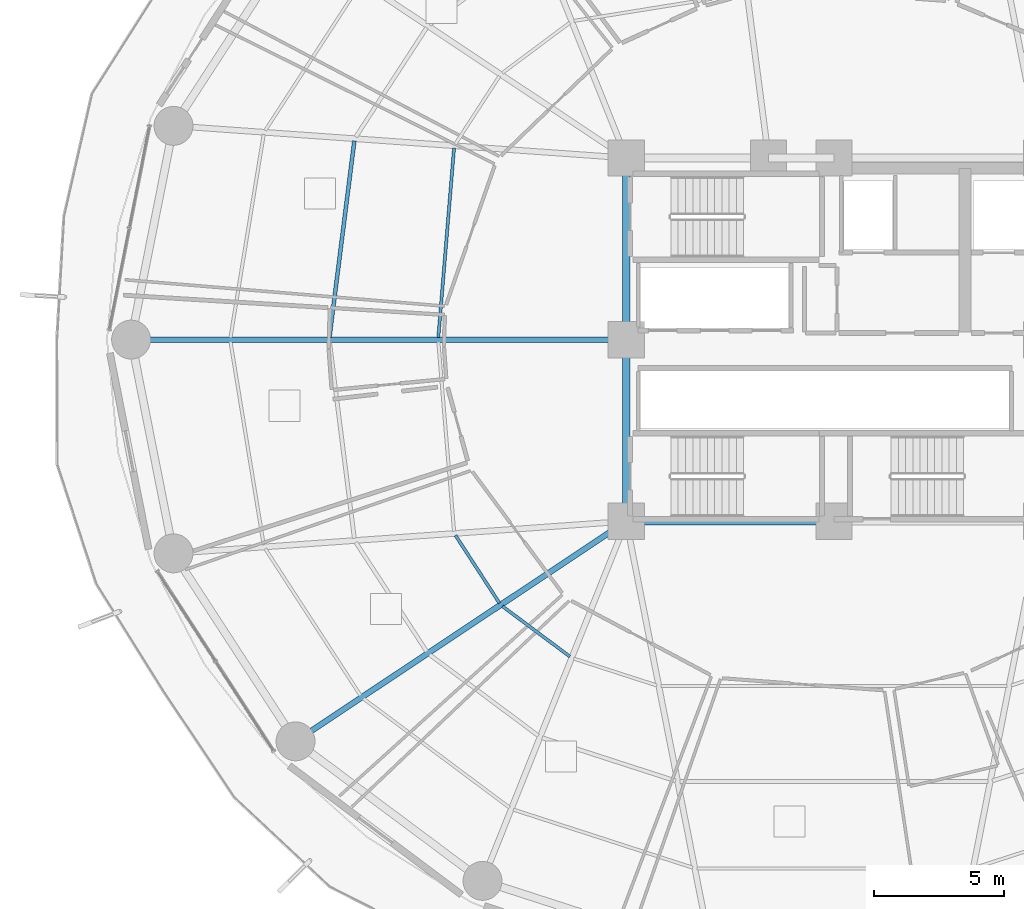
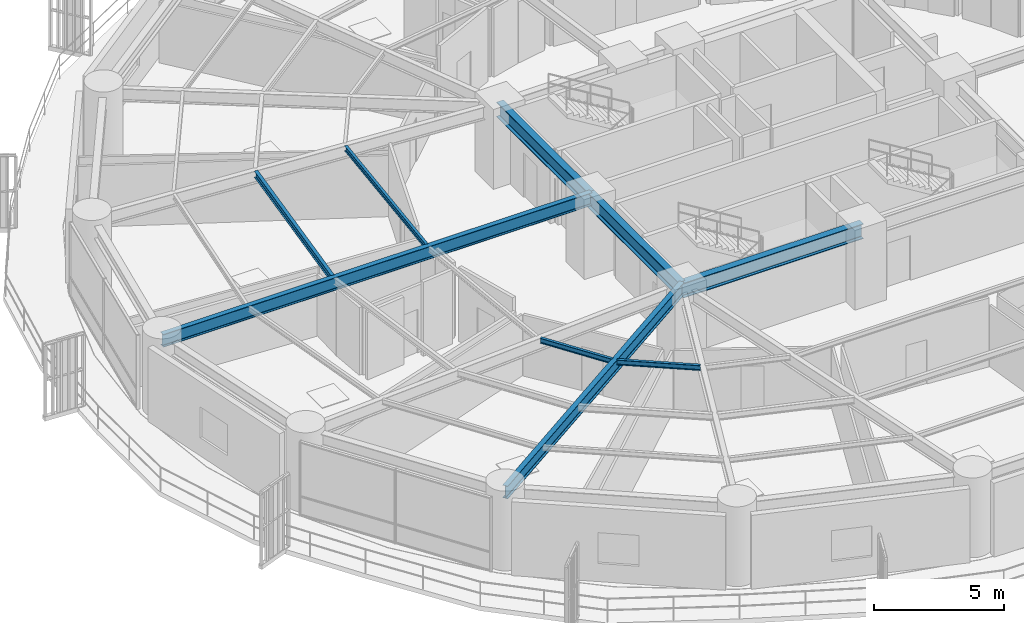
# One storey, part 7 of 32: 9 beams.
"""IFC4 building model written with IfcOpenShell, lengths in metres."""

from ifc_helpers import new_model, si_unit, direction, frame, origin, origin_2d, place, context, subcontext, project, spatial, i_section, extrude, material, material_profile, profile_set, type_object, element, save


model = new_model("IFC4")

# Units and contexts
model_context = context("Model", 3, precision=1e-05, world=origin(), true_north=direction((0.0, 1.0)))
body_context = subcontext(model_context, "Body", "Model", "MODEL_VIEW")
ifc_project = project(units=[si_unit("LENGTHUNIT", "METRE"), si_unit("AREAUNIT", "SQUARE_METRE"), si_unit("VOLUMEUNIT", "CUBIC_METRE"), si_unit("PLANEANGLEUNIT", "RADIAN"), si_unit("MASSUNIT", "GRAM", prefix="KILO")], contexts=[model_context])

# Site, building, storey
site_placement = place(None, origin())
site = spatial("IfcSite", under=ifc_project, at=site_placement, CompositionType="ELEMENT")
building_placement = place(site_placement, origin())
building = spatial("IfcBuilding", under=site, at=building_placement, Name="Kelanora Arch Commons", CompositionType="ELEMENT")
storey_placement = place(building_placement, frame((0.0, 0.0, 60.0)))
storey = spatial("IfcBuildingStorey", under=building, at=storey_placement, Name="L15", CompositionType="ELEMENT", Elevation=60.0)

# Beams
ifc_material = material(Name="Steel S355", Category="steel")
ifc_material_profile_1 = material_profile(ifc_material, i_section(OverallWidth=0.300048828125, OverallDepth=0.699951171875, WebThickness=0.01708984375, FlangeThickness=0.031982421875, FilletRadius=0.027099609375, at=origin_2d()), Name="HEB700")
ifc_profile_set_1 = profile_set([ifc_material_profile_1], Name="Steel S355")
beam_type_1 = type_object("IfcBeamType", Name="BM-CORE-HDR", PredefinedType="BEAM", material=ifc_profile_set_1)
beam_1_placement = place(storey_placement, frame((66.0, 51.0, 3.139892578125), z_axis=(1.0, 0.0, 0.0), x_axis=(0.0, 1.0, 0.0)))
element("IfcBeam", 1, at=beam_1_placement, inside=storey, type_object=beam_type_1, Name="Core Header Beam 01 L15", PredefinedType="BEAM", context=body_context, shape_type="SweptSolid", body=[
    extrude(i_section(OverallWidth=0.300048828125, OverallDepth=0.699951171875, WebThickness=0.01708984375, FlangeThickness=0.031982421875, FilletRadius=0.027099609375, at=origin_2d()), origin(), (0.0, 0.0, 1.0), 8.0),
])
for number, where, z_axis, x_axis, name in (
    (2, (66.0, 65.0, 3.139892578125), (0.0, -1.0, 0.0), (1.0, 0.0, 0.0), "Core Header Beam 08 L15"),
    (3, (66.0, 58.0, 3.139892578125), (0.0, -1.0, 0.0), (1.0, 0.0, 0.0), "Core Header Beam 09 L15"),
):
    element("IfcBeam", number, at=place(storey_placement, frame(where, z_axis=z_axis, x_axis=x_axis)), inside=storey, type_object=beam_type_1, Name=name, PredefinedType="BEAM", context=body_context, shape_type="SweptSolid", body=[
        extrude(i_section(OverallWidth=0.300048828125, OverallDepth=0.699951171875, WebThickness=0.01708984375, FlangeThickness=0.031982421875, FilletRadius=0.027099609375, at=origin_2d()), origin(), (0.0, 0.0, 1.0), 7.0),
    ])
ifc_material_profile_2 = material_profile(ifc_material, i_section(OverallWidth=0.14990234375, OverallDepth=0.300048828125, WebThickness=0.007080078125, FlangeThickness=0.0107421875, FilletRadius=0.014892578125, at=origin_2d()), Name="IPE300")
ifc_profile_set_2 = profile_set([ifc_material_profile_2], Name="Steel S355")
beam_type_2 = type_object("IfcBeamType", Name="BM-JST-01", PredefinedType="JOIST", material=ifc_profile_set_2)
beam_2_placement = place(storey_placement, frame((55.521240234375, 65.6572265625, 3.340087890625), z_axis=(-0.125565841651, -0.992085288375, 0.0), x_axis=(0.992085288375, -0.125565841651, 0.0)))
element("IfcBeam", 4, at=beam_2_placement, inside=storey, type_object=beam_type_2, Name="Secondary Chord Joist BJB-16 L15", PredefinedType="JOIST", context=body_context, shape_type="SweptSolid", body=[
    extrude(i_section(OverallWidth=0.14990234375, OverallDepth=0.300048828125, WebThickness=0.007080078125, FlangeThickness=0.0107421875, FilletRadius=0.014892578125, at=origin_2d()), origin(), (0.0, 0.0, 1.0), 7.63330078125),
])
ifc_material_profile_3 = material_profile(ifc_material, i_section(OverallWidth=0.1201171875, OverallDepth=0.239990234375, WebThickness=0.006103515625, FlangeThickness=0.009765625, FilletRadius=0.014892578125, at=origin_2d()), Name="IPE240")
ifc_profile_set_3 = profile_set([ifc_material_profile_3], Name="Steel S355")
beam_type_3 = type_object("IfcBeamType", Name="BM-JST-02", PredefinedType="JOIST", material=ifc_profile_set_3)
beam_3_placement = place(storey_placement, frame((59.363037109375, 65.385009765625, 3.3701171875), z_axis=(-0.082786209886, -0.996567330115, 0.0), x_axis=(0.996567330115, -0.082786209886, 0.0)))
element("IfcBeam", 5, at=beam_3_placement, inside=storey, type_object=beam_type_3, Name="Secondary Chord Joist BJA-16 L15", PredefinedType="JOIST", context=body_context, shape_type="SweptSolid", body=[
    extrude(i_section(OverallWidth=0.1201171875, OverallDepth=0.239990234375, WebThickness=0.006103515625, FlangeThickness=0.009765625, FilletRadius=0.014892578125, at=origin_2d()), origin(), (0.0, 0.0, 1.0), 7.325439453125),
])
beam_4_placement = place(storey_placement, frame((59.41650390625, 50.458984375, 3.3701171875), z_axis=(0.544591105858, -0.838701691557, 0.0), x_axis=(0.838701691557, 0.544591105858, 0.0)))
element("IfcBeam", 6, at=beam_4_placement, inside=storey, type_object=beam_type_3, Name="Secondary Chord Joist BJA-20 L15", PredefinedType="JOIST", context=body_context, shape_type="SweptSolid", body=[
    extrude(i_section(OverallWidth=0.1201171875, OverallDepth=0.239990234375, WebThickness=0.006103515625, FlangeThickness=0.009765625, FilletRadius=0.014892578125, at=origin_2d()), origin(), (0.0, 0.0, 1.0), 3.111328125),
])
beam_5_placement = place(storey_placement, frame((61.22509765625, 47.727294921875, 3.3701171875), z_axis=(0.801513822608, -0.59797624716, 0.0), x_axis=(0.59797624716, 0.801513822608, 0.0)))
element("IfcBeam", 7, at=beam_5_placement, inside=storey, type_object=beam_type_3, Name="Secondary Chord Joist BJA-22 L15", PredefinedType="JOIST", context=body_context, shape_type="SweptSolid", body=[
    extrude(i_section(OverallWidth=0.1201171875, OverallDepth=0.239990234375, WebThickness=0.006103515625, FlangeThickness=0.009765625, FilletRadius=0.014892578125, at=origin_2d()), origin(), (0.0, 0.0, 1.0), 3.245849609375),
])
ifc_material_profile_4 = material_profile(ifc_material, i_section(OverallWidth=0.219970703125, OverallDepth=0.60009765625, WebThickness=0.011962890625, FlangeThickness=0.01904296875, FilletRadius=0.02392578125, at=origin_2d()), Name="IPE600")
ifc_profile_set_4 = profile_set([ifc_material_profile_4], Name="Steel S355")
beam_type_4 = type_object("IfcBeamType", Name="BM-RAD-Z1", PredefinedType="BEAM", material=ifc_profile_set_4)
beam_6_placement = place(storey_placement, frame((66.0, 58.0, 3.18994140625), z_axis=(-1.0, 0.0, 0.0), x_axis=(0.0, -1.0, 0.0)))
element("IfcBeam", 8, at=beam_6_placement, inside=storey, type_object=beam_type_4, Name="Radial Floor Girder BR-18 L15", PredefinedType="BEAM", context=body_context, shape_type="SweptSolid", body=[
    extrude(i_section(OverallWidth=0.219970703125, OverallDepth=0.60009765625, WebThickness=0.011962890625, FlangeThickness=0.01904296875, FilletRadius=0.02392578125, at=origin_2d()), origin(), (0.0, 0.0, 1.0), 19.080078125),
])
beam_7_placement = place(storey_placement, frame((66.0, 51.0, 3.18994140625), z_axis=(-0.832592187754, -0.553886494591, 0.0), x_axis=(0.553886494591, -0.832592187754, 0.0)))
element("IfcBeam", 9, at=beam_7_placement, inside=storey, type_object=beam_type_4, Name="Radial Floor Girder BR-22 L15", PredefinedType="BEAM", context=body_context, shape_type="SweptSolid", body=[
    extrude(i_section(OverallWidth=0.219970703125, OverallDepth=0.60009765625, WebThickness=0.011962890625, FlangeThickness=0.01904296875, FilletRadius=0.02392578125, at=origin_2d()), origin(), (0.0, 0.0, 1.0), 15.306884765625),
])

save(model, "model.ifc")
